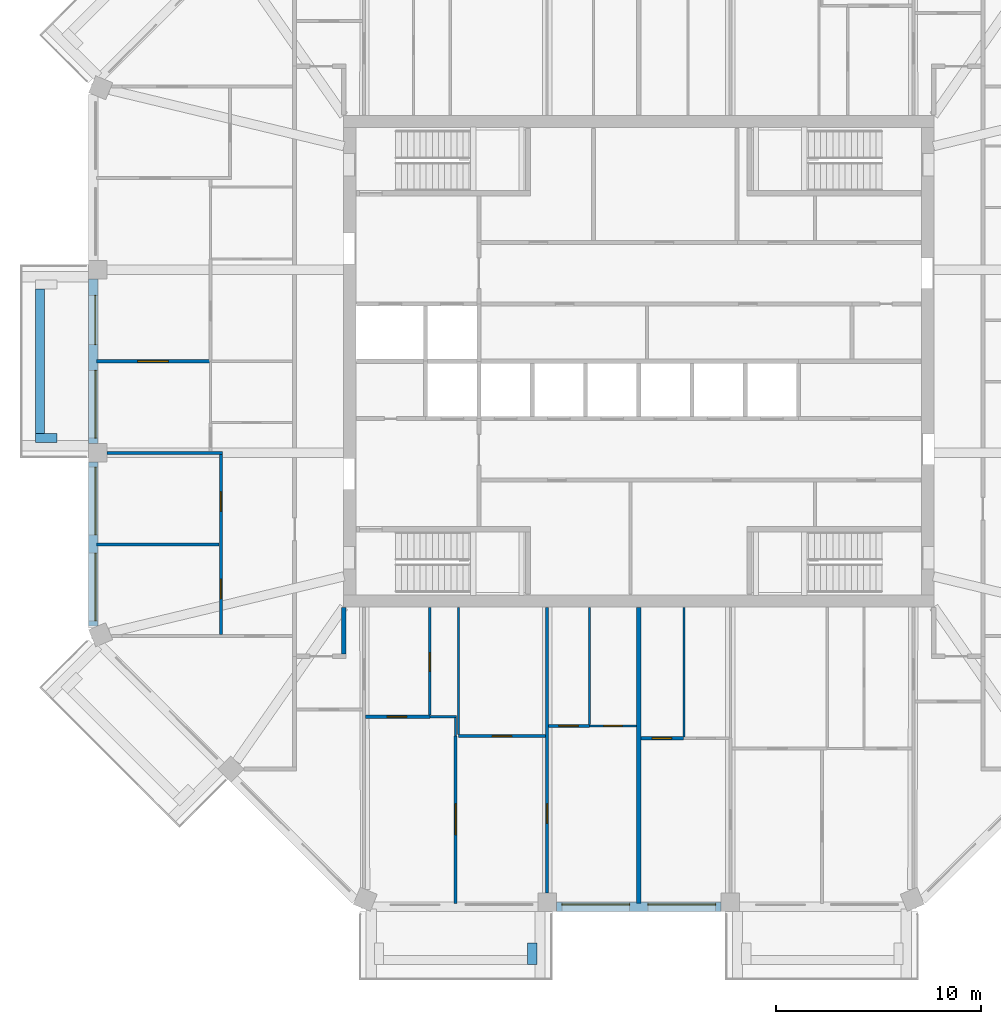
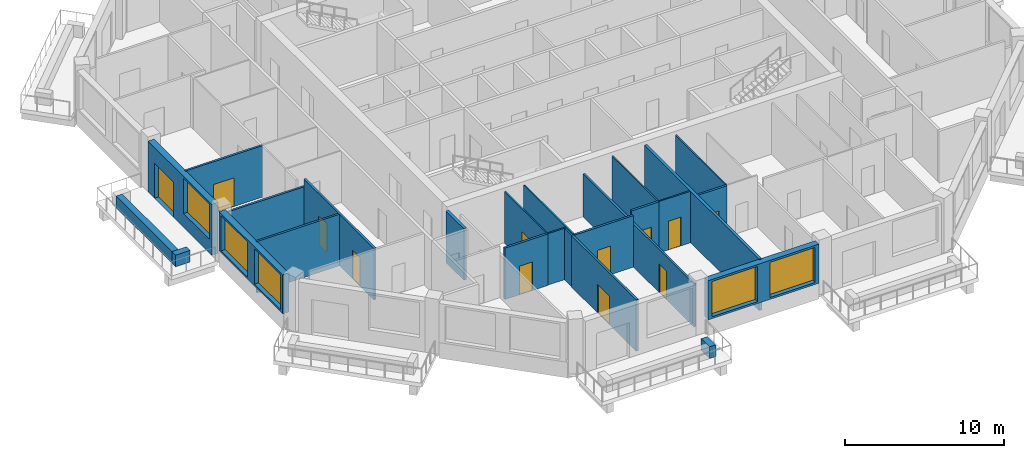
# One storey, part 3 of 13: 25 walls, 12 doors, 5 windows, 17 openings.
"""IFC4 building model written with IfcOpenShell, lengths in metres."""

from ifc_helpers import new_model, si_unit, direction, frame, frame_2d, origin, place, context, subcontext, project, spatial, rectangle, extrude, material, layer, layer_set, type_object, element, fill, save


model = new_model("IFC4")

# Units and contexts
model_context = context("Model", 3, precision=1e-05, world=origin(), true_north=direction((0.0, 1.0)))
body_context = subcontext(model_context, "Body", "Model", "MODEL_VIEW")
ifc_project = project(units=[si_unit("LENGTHUNIT", "METRE"), si_unit("AREAUNIT", "SQUARE_METRE"), si_unit("VOLUMEUNIT", "CUBIC_METRE"), si_unit("PLANEANGLEUNIT", "RADIAN"), si_unit("MASSUNIT", "GRAM", prefix="KILO")], contexts=[model_context])

# Site, building, storey
site_placement = place(None, origin())
site = spatial("IfcSite", under=ifc_project, at=site_placement, CompositionType="ELEMENT")
building_placement = place(site_placement, origin())
building = spatial("IfcBuilding", under=site, at=building_placement, Name="Msitu Wima Residences", CompositionType="ELEMENT")
storey_placement = place(building_placement, frame((0.0, 0.0, 285.300048828125)))
storey = spatial("IfcBuildingStorey", under=building, at=storey_placement, Name="L66", CompositionType="ELEMENT", Elevation=285.300048828125)

# Walls
ifc_material_1 = material(Name="Facing brick")
ifc_layer_1 = layer(ifc_material_1, 0.06494140625, Name="Facing brick")
ifc_material_2 = material(Name="Concrete C40/50", Category="concrete")
ifc_layer_2 = layer(ifc_material_2, 0.156005859375, Name="Concrete C40/50")
ifc_material_3 = material(Name="Waterproofing membrane")
ifc_layer_3 = layer(ifc_material_3, 0.00390625, Name="Waterproofing membrane")
ifc_material_4 = material(Name="Planting soil and planting")
ifc_layer_4 = layer(ifc_material_4, 0.22509765625, Name="Planting soil and planting")
ifc_layer_set_1 = layer_set([ifc_layer_1, ifc_layer_2, ifc_layer_3, ifc_layer_4], Name="Concrete C40/50")
wall_type_1 = type_object("IfcWallType", Name="Balcony planter PLANTER PL450", PredefinedType="USERDEFINED", material=ifc_layer_set_1)
wall_1_placement = place(storey_placement, frame((-29.22509765625, 3.5185546875, 0.0), z_axis=(0.0, 0.0, 1.0), x_axis=(0.0, -1.0, 0.0)))
element("IfcWall", 1, at=wall_1_placement, inside=storey, type_object=wall_type_1, Name="Balcony planter W1 L66", ObjectType="PLANTER", PredefinedType="USERDEFINED", context=body_context, shape_type="SweptSolid", body=[
    extrude(rectangle(XDim=7.037109375, YDim=0.449951171875, at=frame_2d((3.5185546875, 0.0))), origin(), (0.0, 0.0, 1.0), 0.89990234375),
])
for number, where, z_axis, x_axis, name in (
    (2, (-28.39990234375, -3.74365234375, 0.0), (0.0, 0.0, 1.0), (-1.0, 0.0, 0.0), "Balcony planter W1 L66"),
    (3, (-5.193603515625, -28.39990234375, 0.0), (0.0, 0.0, 1.0), (0.0, -1.0, 0.0), "Balcony planter S0 L66"),
):
    element("IfcWall", number, at=place(storey_placement, frame(where, z_axis=z_axis, x_axis=x_axis)), inside=storey, type_object=wall_type_1, Name=name, ObjectType="PLANTER", PredefinedType="USERDEFINED", context=body_context, shape_type="SweptSolid", body=[
        extrude(rectangle(XDim=1.050048828125, YDim=0.449951171875, at=frame_2d((0.52490234375, 0.0))), origin(), (0.0, 0.0, 1.0), 0.89990234375),
    ])

# Wall, openings, door, window
ifc_material_5 = material(Name="Brick (red buff mix)", Category="masonry")
ifc_layer_5 = layer(ifc_material_5, 0.449951171875)
ifc_layer_set_2 = layer_set([ifc_layer_5], Name="Brick (red buff mix)")
wall_type_2 = type_object("IfcWallType", Name="Brick infill wall BW450", PredefinedType="SOLIDWALL", material=ifc_layer_set_2)
wall_2_placement = place(storey_placement, frame((-26.625, 4.0185546875, 0.0), z_axis=(0.0, 0.0, 1.0), x_axis=(0.0, -1.0, 0.0)))
wall_2 = element("IfcWall", 4, at=wall_2_placement, inside=storey, type_object=wall_type_2, Name="Brick infill wall L66 W1", PredefinedType="SOLIDWALL", context=body_context, shape_type="SweptSolid", body=[
    extrude(rectangle(XDim=8.037109375, YDim=0.449951171875, at=frame_2d((4.0185546875, 0.0))), origin(), (0.0, 0.0, 1.0), 3.89990234375),
])
opening_1_placement = place(wall_2_placement, frame((0.809326171875, 0.0, 0.0)))
opening_1 = element("IfcOpeningElement", 5, at=opening_1_placement, cuts=wall_2, Name="Opening D65-67.010", PredefinedType="OPENING", context=body_context, shape_type="SweptSolid", body=[
    extrude(rectangle(XDim=2.39990234375, YDim=2.699951171875, at=frame_2d((1.199951171875, 1.35009765625))), frame((0.0, 0.23486328125, 0.0), z_axis=(0.0, -1.0, 0.0), x_axis=(1.0, 0.0, 0.0)), (0.0, 0.0, 1.0), 0.469970703125),
])
opening_2_placement = place(wall_2_placement, frame((4.46875, 0.0, 1.050048828125)))
opening_2 = element("IfcOpeningElement", 6, at=opening_2_placement, cuts=wall_2, Name="Opening W65-67.028", PredefinedType="OPENING", context=body_context, shape_type="SweptSolid", body=[
    extrude(rectangle(XDim=3.300048828125, YDim=2.699951171875, at=frame_2d((1.64990234375, 1.35009765625))), frame((0.0, 0.23486328125, 0.0), z_axis=(0.0, -1.0, 0.0), x_axis=(1.0, 0.0, 0.0)), (0.0, 0.0, 1.0), 0.469970703125),
])
ifc_material_6 = material(Name="Anodised aluminium, bronze finish, clear low-emissivity double glazing", Category="aluminium")
door_type_1 = type_object("IfcDoorType", Name="Balcony door D2400x2700", OperationType="SLIDING_TO_LEFT", PredefinedType="DOOR", material=ifc_material_6)
door_1_placement = place(opening_1_placement, origin())
door_1 = element("IfcDoor", 7, at=door_1_placement, inside=storey, type_object=door_type_1, Name="Balcony door L66 W1", OperationType="SINGLE_SWING_LEFT", OverallHeight=2.699951171875, OverallWidth=2.39990234375, PredefinedType="DOOR", context=body_context, shape_type="SweptSolid", body=[
    extrude(rectangle(XDim=2.39990234375, YDim=2.699951171875, at=frame_2d((1.199951171875, 1.35009765625))), frame((0.0, 0.1298828125, 0.0), z_axis=(0.0, -1.0, 0.0), x_axis=(1.0, 0.0, 0.0)), (0.0, 0.0, 1.0), 0.050048828125),
])
fill(opening_1, door_1)
window_type = type_object("IfcWindowType", Name="Window W3300x2700", PartitioningType="DOUBLE_PANEL_VERTICAL", PredefinedType="WINDOW", material=ifc_material_6)
window_1_placement = place(opening_2_placement, origin())
window_1 = element("IfcWindow", 8, at=window_1_placement, inside=storey, type_object=window_type, Name="Window L66 W1.2", OverallHeight=2.699951171875, OverallWidth=3.300048828125, PartitioningType="SINGLE_PANEL", PredefinedType="WINDOW", context=body_context, shape_type="SweptSolid", body=[
    extrude(rectangle(XDim=3.300048828125, YDim=2.699951171875, at=frame_2d((1.64990234375, 1.35009765625))), frame((0.0, 0.135009765625, 0.0), z_axis=(0.0, -1.0, 0.0), x_axis=(1.0, 0.0, 0.0)), (0.0, 0.0, 1.0), 0.06005859375),
])
fill(opening_2, window_1)

# Wall, openings, windows
wall_3_placement = place(storey_placement, frame((-26.625, -4.918701171875, 0.89990234375), z_axis=(0.0, 0.0, 1.0), x_axis=(0.0, -1.0, 0.0)))
wall_3 = element("IfcWall", 9, at=wall_3_placement, inside=storey, type_object=wall_type_2, Name="Brick infill wall L66 W2", PredefinedType="SOLIDWALL", context=body_context, shape_type="SweptSolid", body=[
    extrude(rectangle(XDim=8.0, YDim=0.449951171875, at=frame_2d((4.0, 0.0))), origin(), (0.0, 0.0, 1.0), 3.0),
])
opening_3_placement = place(wall_3_placement, frame((0.25, 0.0, 0.14990234375)))
opening_3 = element("IfcOpeningElement", 10, at=opening_3_placement, cuts=wall_3, Name="Opening W65-67.029", PredefinedType="OPENING", context=body_context, shape_type="SweptSolid", body=[
    extrude(rectangle(XDim=3.300048828125, YDim=2.699951171875, at=frame_2d((1.64990234375, 1.35009765625))), frame((0.0, 0.23486328125, 0.0), z_axis=(0.0, -1.0, 0.0), x_axis=(1.0, 0.0, 0.0)), (0.0, 0.0, 1.0), 0.469970703125),
])
opening_4_placement = place(wall_3_placement, frame((4.4501953125, 0.0, 0.14990234375)))
opening_4 = element("IfcOpeningElement", 11, at=opening_4_placement, cuts=wall_3, Name="Opening W65-67.030", PredefinedType="OPENING", context=body_context, shape_type="SweptSolid", body=[
    extrude(rectangle(XDim=3.300048828125, YDim=2.699951171875, at=frame_2d((1.64990234375, 1.35009765625))), frame((0.0, 0.23486328125, 0.0), z_axis=(0.0, -1.0, 0.0), x_axis=(1.0, 0.0, 0.0)), (0.0, 0.0, 1.0), 0.469970703125),
])
window_2_placement = place(opening_3_placement, origin())
window_2 = element("IfcWindow", 12, at=window_2_placement, inside=storey, type_object=window_type, Name="Window L66 W2.1", OverallHeight=2.699951171875, OverallWidth=3.300048828125, PartitioningType="SINGLE_PANEL", PredefinedType="WINDOW", context=body_context, shape_type="SweptSolid", body=[
    extrude(rectangle(XDim=3.300048828125, YDim=2.699951171875, at=frame_2d((1.64990234375, 1.35009765625))), frame((0.0, 0.135009765625, 0.0), z_axis=(0.0, -1.0, 0.0), x_axis=(1.0, 0.0, 0.0)), (0.0, 0.0, 1.0), 0.06005859375),
])
fill(opening_3, window_2)
window_3_placement = place(opening_4_placement, origin())
window_3 = element("IfcWindow", 13, at=window_3_placement, inside=storey, type_object=window_type, Name="Window L66 W2.2", OverallHeight=2.699951171875, OverallWidth=3.300048828125, PartitioningType="SINGLE_PANEL", PredefinedType="WINDOW", context=body_context, shape_type="SweptSolid", body=[
    extrude(rectangle(XDim=3.300048828125, YDim=2.699951171875, at=frame_2d((1.64990234375, 1.35009765625))), frame((0.0, 0.135009765625, 0.0), z_axis=(0.0, -1.0, 0.0), x_axis=(1.0, 0.0, 0.0)), (0.0, 0.0, 1.0), 0.06005859375),
])
fill(opening_4, window_3)

wall_4_placement = place(storey_placement, frame((-4.0185546875, -26.625, 0.89990234375), z_axis=(0.0, 0.0, 1.0), x_axis=(1.0, 0.0, 0.0)))
wall_4 = element("IfcWall", 14, at=wall_4_placement, inside=storey, type_object=wall_type_2, Name="Brick infill wall L66 S1", PredefinedType="SOLIDWALL", context=body_context, shape_type="SweptSolid", body=[
    extrude(rectangle(XDim=8.037109375, YDim=0.449951171875, at=frame_2d((4.0185546875, 0.0))), origin(), (0.0, 0.0, 1.0), 3.0),
])
opening_5_placement = place(wall_4_placement, frame((0.2685546875, 0.0, 0.14990234375)))
opening_5 = element("IfcOpeningElement", 15, at=opening_5_placement, cuts=wall_4, Name="Opening W65-67.017", PredefinedType="OPENING", context=body_context, shape_type="SweptSolid", body=[
    extrude(rectangle(XDim=3.300048828125, YDim=2.699951171875, at=frame_2d((1.64990234375, 1.35009765625))), frame((0.0, 0.23486328125, 0.0), z_axis=(0.0, -1.0, 0.0), x_axis=(1.0, 0.0, 0.0)), (0.0, 0.0, 1.0), 0.469970703125),
])
opening_6_placement = place(wall_4_placement, frame((4.46875, 0.0, 0.14990234375)))
opening_6 = element("IfcOpeningElement", 16, at=opening_6_placement, cuts=wall_4, Name="Opening W65-67.018", PredefinedType="OPENING", context=body_context, shape_type="SweptSolid", body=[
    extrude(rectangle(XDim=3.300048828125, YDim=2.699951171875, at=frame_2d((1.64990234375, 1.35009765625))), frame((0.0, 0.23486328125, 0.0), z_axis=(0.0, -1.0, 0.0), x_axis=(1.0, 0.0, 0.0)), (0.0, 0.0, 1.0), 0.469970703125),
])
window_4_placement = place(opening_5_placement, origin())
window_4 = element("IfcWindow", 17, at=window_4_placement, inside=storey, type_object=window_type, Name="Window L66 S1.1", OverallHeight=2.699951171875, OverallWidth=3.300048828125, PartitioningType="SINGLE_PANEL", PredefinedType="WINDOW", context=body_context, shape_type="SweptSolid", body=[
    extrude(rectangle(XDim=3.300048828125, YDim=2.699951171875, at=frame_2d((1.64990234375, 1.35009765625))), frame((0.0, 0.135009765625, 0.0), z_axis=(0.0, -1.0, 0.0), x_axis=(1.0, 0.0, 0.0)), (0.0, 0.0, 1.0), 0.06005859375),
])
fill(opening_5, window_4)
window_5_placement = place(opening_6_placement, origin())
window_5 = element("IfcWindow", 18, at=window_5_placement, inside=storey, type_object=window_type, Name="Window L66 S1.2", OverallHeight=2.699951171875, OverallWidth=3.300048828125, PartitioningType="SINGLE_PANEL", PredefinedType="WINDOW", context=body_context, shape_type="SweptSolid", body=[
    extrude(rectangle(XDim=3.300048828125, YDim=2.699951171875, at=frame_2d((1.64990234375, 1.35009765625))), frame((0.0, 0.135009765625, 0.0), z_axis=(0.0, -1.0, 0.0), x_axis=(1.0, 0.0, 0.0)), (0.0, 0.0, 1.0), 0.06005859375),
])
fill(opening_6, window_5)

# Walls
ifc_material_7 = material(Name="Plaster")
ifc_layer_6 = layer(ifc_material_7, 0.011962890625, Name="Plaster")
ifc_material_8 = material(Name="Concrete blockwork", Category="masonry")
ifc_layer_7 = layer(ifc_material_8, 0.176025390625, Name="Concrete blockwork")
ifc_layer_8 = layer(ifc_material_7, 0.011962890625, Name="Plaster")
ifc_layer_set_3 = layer_set([ifc_layer_6, ifc_layer_7, ifc_layer_8], Name="Concrete blockwork")
wall_type_3 = type_object("IfcWallType", Name="Corridor wall FW200", PredefinedType="PARTITIONING", material=ifc_layer_set_3)
wall_5_placement = place(storey_placement, frame((-14.39990234375, -14.300048828125, 0.0), z_axis=(0.0, 0.0, 1.0), x_axis=(0.0, 1.0, 0.0)))
element("IfcWall", 19, at=wall_5_placement, inside=storey, type_object=wall_type_3, Name="Corridor wall", PredefinedType="PARTITIONING", context=body_context, shape_type="SweptSolid", body=[
    extrude(rectangle(XDim=2.27001953125, YDim=0.199951171875, at=frame_2d((1.135009765625, 0.0))), origin(), (0.0, 0.0, 1.0), 3.949951171875),
])
ifc_layer_9 = layer(ifc_material_7, 0.011962890625, Name="Plaster")
ifc_layer_10 = layer(ifc_material_8, 0.1259765625, Name="Concrete blockwork")
ifc_layer_11 = layer(ifc_material_7, 0.011962890625, Name="Plaster")
ifc_layer_set_4 = layer_set([ifc_layer_9, ifc_layer_10, ifc_layer_11], Name="Concrete blockwork")
wall_type_4 = type_object("IfcWallType", Name="Partition PW150", PredefinedType="PARTITIONING", material=ifc_layer_set_4)
wall_6_placement = place(storey_placement, frame((-26.455078125, -8.937255859375, 0.0), z_axis=(0.0, 0.0, 1.0), x_axis=(1.0, 0.0, 0.0)))
element("IfcWall", 20, at=wall_6_placement, inside=storey, type_object=wall_type_4, Name="Partition", PredefinedType="PARTITIONING", context=body_context, shape_type="SweptSolid", body=[
    extrude(rectangle(XDim=5.97998046875, YDim=0.14990234375, at=frame_2d((2.989990234375, 0.0))), origin(), (0.0, 0.0, 1.0), 3.949951171875),
])
wall_7_placement = place(storey_placement, frame((-25.949951171875, -4.46875, 0.0), z_axis=(0.0, 0.0, 1.0), x_axis=(1.0, 0.0, 0.0)))
element("IfcWall", 21, at=wall_7_placement, inside=storey, type_object=wall_type_4, Name="Partition", PredefinedType="PARTITIONING", context=body_context, shape_type="SweptSolid", body=[
    extrude(rectangle(XDim=5.625, YDim=0.14990234375, at=frame_2d((2.8125, 0.0))), origin(), (0.0, 0.0, 1.0), 3.349853515625),
])

# Wall, opening, door
wall_8_placement = place(storey_placement, frame((-26.455078125, 0.0, 0.0), z_axis=(0.0, 0.0, 1.0), x_axis=(1.0, 0.0, 0.0)))
wall_8 = element("IfcWall", 22, at=wall_8_placement, inside=storey, type_object=wall_type_4, Name="Partition", PredefinedType="PARTITIONING", context=body_context, shape_type="SweptSolid", body=[
    extrude(rectangle(XDim=5.5751953125, YDim=0.14990234375, at=frame_2d((2.78759765625, 0.0))), origin(), (0.0, 0.0, 1.0), 3.949951171875),
])
opening_7_placement = place(wall_8_placement, frame((2.0, 0.0, 0.0)))
opening_7 = element("IfcOpeningElement", 23, at=opening_7_placement, cuts=wall_8, Name="Opening D65-67.050", PredefinedType="OPENING", context=body_context, shape_type="SweptSolid", body=[
    extrude(rectangle(XDim=1.5, YDim=2.199951171875, at=frame_2d((0.75, 1.10009765625))), frame((0.0, 0.0849609375, 0.0), z_axis=(0.0, -1.0, 0.0), x_axis=(1.0, 0.0, 0.0)), (0.0, 0.0, 1.0), 0.169921875),
])
ifc_material_9 = material(Name="Timber double door", Category="wood")
door_type_2 = type_object("IfcDoorType", Name="Double door D04 1500x2200", OperationType="DOUBLE_DOOR_SINGLE_SWING", PredefinedType="DOOR", material=ifc_material_9)
door_2_placement = place(opening_7_placement, origin())
door_2 = element("IfcDoor", 24, at=door_2_placement, inside=storey, type_object=door_type_2, Name="Double door", OperationType="DOUBLE_DOOR_SINGLE_SWING", OverallHeight=2.199951171875, OverallWidth=1.5, PredefinedType="DOOR", context=body_context, shape_type="SweptSolid", body=[
    extrude(rectangle(XDim=1.5, YDim=2.199951171875, at=frame_2d((0.75, 1.10009765625))), frame((0.0, 0.02490234375, 0.0), z_axis=(0.0, -1.0, 0.0), x_axis=(1.0, 0.0, 0.0)), (0.0, 0.0, 1.0), 0.050048828125),
])
fill(opening_7, door_2)

# Wall, openings, doors
wall_9_placement = place(storey_placement, frame((-20.39990234375, -13.330810546875, 0.0), z_axis=(0.0, 0.0, 1.0), x_axis=(0.0, 1.0, 0.0)))
wall_9 = element("IfcWall", 25, at=wall_9_placement, inside=storey, type_object=wall_type_4, Name="Partition", PredefinedType="PARTITIONING", context=body_context, shape_type="SweptSolid", body=[
    extrude(rectangle(XDim=8.787109375, YDim=0.14990234375, at=frame_2d((4.3935546875, 0.0))), origin(), (0.0, 0.0, 1.0), 3.949951171875),
])
opening_8_placement = place(wall_9_placement, frame((1.75, 0.0, 0.0)))
opening_8 = element("IfcOpeningElement", 26, at=opening_8_placement, cuts=wall_9, Name="Opening D65-67.047", PredefinedType="OPENING", context=body_context, shape_type="SweptSolid", body=[
    extrude(rectangle(XDim=0.949951171875, YDim=2.199951171875, at=frame_2d((0.47509765625, 1.10009765625))), frame((0.0, 0.0849609375, 0.0), z_axis=(0.0, -1.0, 0.0), x_axis=(1.0, 0.0, 0.0)), (0.0, 0.0, 1.0), 0.169921875),
])
opening_9_placement = place(wall_9_placement, frame((6.0, 0.0, 0.0)))
opening_9 = element("IfcOpeningElement", 27, at=opening_9_placement, cuts=wall_9, Name="Opening D65-67.048", PredefinedType="OPENING", context=body_context, shape_type="SweptSolid", body=[
    extrude(rectangle(XDim=0.949951171875, YDim=2.199951171875, at=frame_2d((0.47509765625, 1.10009765625))), frame((0.0, 0.0849609375, 0.0), z_axis=(0.0, -1.0, 0.0), x_axis=(1.0, 0.0, 0.0)), (0.0, 0.0, 1.0), 0.169921875),
])
ifc_material_10 = material(Name="Timber flush door", Category="wood")
door_type_3 = type_object("IfcDoorType", Name="Room door D12 950x2200", OperationType="SINGLE_SWING_LEFT", PredefinedType="DOOR", material=ifc_material_10)
door_3_placement = place(opening_8_placement, origin())
door_3 = element("IfcDoor", 28, at=door_3_placement, inside=storey, type_object=door_type_3, Name="Room door", OperationType="SINGLE_SWING_RIGHT", OverallHeight=2.199951171875, OverallWidth=0.949951171875, PredefinedType="DOOR", context=body_context, shape_type="SweptSolid", body=[
    extrude(rectangle(XDim=0.949951171875, YDim=2.199951171875, at=frame_2d((0.47509765625, 1.10009765625))), frame((0.0, 0.02490234375, 0.0), z_axis=(0.0, -1.0, 0.0), x_axis=(1.0, 0.0, 0.0)), (0.0, 0.0, 1.0), 0.050048828125),
])
fill(opening_8, door_3)
door_4_placement = place(opening_9_placement, origin())
door_4 = element("IfcDoor", 29, at=door_4_placement, inside=storey, type_object=door_type_3, Name="Room door", OperationType="SINGLE_SWING_LEFT", OverallHeight=2.199951171875, OverallWidth=0.949951171875, PredefinedType="DOOR", context=body_context, shape_type="SweptSolid", body=[
    extrude(rectangle(XDim=0.949951171875, YDim=2.199951171875, at=frame_2d((0.47509765625, 1.10009765625))), frame((0.0, 0.02490234375, 0.0), z_axis=(0.0, -1.0, 0.0), x_axis=(1.0, 0.0, 0.0)), (0.0, 0.0, 1.0), 0.050048828125),
])
fill(opening_9, door_4)

# Wall, opening, door
wall_10_placement = place(storey_placement, frame((-13.330810546875, -17.35009765625, 0.0), z_axis=(0.0, 0.0, 1.0), x_axis=(1.0, 0.0, 0.0)))
wall_10 = element("IfcWall", 30, at=wall_10_placement, inside=storey, type_object=wall_type_4, Name="Partition", PredefinedType="PARTITIONING", context=body_context, shape_type="SweptSolid", body=[
    extrude(rectangle(XDim=3.130859375, YDim=0.14990234375, at=frame_2d((1.5654296875, 0.0))), origin(), (0.0, 0.0, 1.0), 3.949951171875),
])
opening_10_placement = place(wall_10_placement, frame((1.050048828125, 0.0, 0.0)))
opening_10 = element("IfcOpeningElement", 31, at=opening_10_placement, cuts=wall_10, Name="Opening D65-67.056", PredefinedType="OPENING", context=body_context, shape_type="SweptSolid", body=[
    extrude(rectangle(XDim=0.949951171875, YDim=2.199951171875, at=frame_2d((0.47509765625, 1.10009765625))), frame((0.0, 0.0849609375, 0.0), z_axis=(0.0, -1.0, 0.0), x_axis=(1.0, 0.0, 0.0)), (0.0, 0.0, 1.0), 0.169921875),
])
door_5_placement = place(opening_10_placement, origin())
door_5 = element("IfcDoor", 32, at=door_5_placement, inside=storey, type_object=door_type_3, Name="Room door", OperationType="SINGLE_SWING_RIGHT", OverallHeight=2.199951171875, OverallWidth=0.949951171875, PredefinedType="DOOR", context=body_context, shape_type="SweptSolid", body=[
    extrude(rectangle(XDim=0.949951171875, YDim=2.199951171875, at=frame_2d((0.47509765625, 1.10009765625))), frame((0.0, 0.02490234375, 0.0), z_axis=(0.0, -1.0, 0.0), x_axis=(1.0, 0.0, 0.0)), (0.0, 0.0, 1.0), 0.050048828125),
])
fill(opening_10, door_5)

wall_11_placement = place(storey_placement, frame((-8.937255859375, -26.455078125, 0.0), z_axis=(0.0, 0.0, 1.0), x_axis=(0.0, 1.0, 0.0)))
wall_11 = element("IfcWall", 33, at=wall_11_placement, inside=storey, type_object=wall_type_4, Name="Partition", PredefinedType="PARTITIONING", context=body_context, shape_type="SweptSolid", body=[
    extrude(rectangle(XDim=8.155029296875, YDim=0.14990234375, at=frame_2d((4.07763671875, 0.0))), origin(), (0.0, 0.0, 1.0), 3.949951171875),
])
opening_11_placement = place(wall_11_placement, frame((3.35009765625, 0.0, 0.0)))
opening_11 = element("IfcOpeningElement", 34, at=opening_11_placement, cuts=wall_11, Name="Opening D65-67.059", PredefinedType="OPENING", context=body_context, shape_type="SweptSolid", body=[
    extrude(rectangle(XDim=1.5, YDim=2.199951171875, at=frame_2d((0.75, 1.10009765625))), frame((0.0, 0.0849609375, 0.0), z_axis=(0.0, -1.0, 0.0), x_axis=(1.0, 0.0, 0.0)), (0.0, 0.0, 1.0), 0.169921875),
])
door_6_placement = place(opening_11_placement, origin())
door_6 = element("IfcDoor", 35, at=door_6_placement, inside=storey, type_object=door_type_2, Name="Double door", OperationType="DOUBLE_DOOR_SINGLE_SWING", OverallHeight=2.199951171875, OverallWidth=1.5, PredefinedType="DOOR", context=body_context, shape_type="SweptSolid", body=[
    extrude(rectangle(XDim=1.5, YDim=2.199951171875, at=frame_2d((0.75, 1.10009765625))), frame((0.0, 0.02490234375, 0.0), z_axis=(0.0, -1.0, 0.0), x_axis=(1.0, 0.0, 0.0)), (0.0, 0.0, 1.0), 0.050048828125),
])
fill(opening_11, door_6)

wall_12_placement = place(storey_placement, frame((-8.800048828125, -18.300048828125, 0.0), z_axis=(0.0, 0.0, 1.0), x_axis=(1.0, 0.0, 0.0)))
wall_12 = element("IfcWall", 36, at=wall_12_placement, inside=storey, type_object=wall_type_4, Name="Partition", PredefinedType="PARTITIONING", context=body_context, shape_type="SweptSolid", body=[
    extrude(rectangle(XDim=4.25634765625, YDim=0.14990234375, at=frame_2d((2.128173828125, 0.0))), origin(), (0.0, 0.0, 1.0), 3.949951171875),
])
opening_12_placement = place(wall_12_placement, frame((1.64990234375, 0.0, 0.0)))
opening_12 = element("IfcOpeningElement", 37, at=opening_12_placement, cuts=wall_12, Name="Opening D65-67.060", PredefinedType="OPENING", context=body_context, shape_type="SweptSolid", body=[
    extrude(rectangle(XDim=0.949951171875, YDim=2.199951171875, at=frame_2d((0.47509765625, 1.10009765625))), frame((0.0, 0.0849609375, 0.0), z_axis=(0.0, -1.0, 0.0), x_axis=(1.0, 0.0, 0.0)), (0.0, 0.0, 1.0), 0.169921875),
])
door_7_placement = place(opening_12_placement, origin())
door_7 = element("IfcDoor", 38, at=door_7_placement, inside=storey, type_object=door_type_3, Name="Room door", OperationType="SINGLE_SWING_LEFT", OverallHeight=2.199951171875, OverallWidth=0.949951171875, PredefinedType="DOOR", context=body_context, shape_type="SweptSolid", body=[
    extrude(rectangle(XDim=0.949951171875, YDim=2.199951171875, at=frame_2d((0.47509765625, 1.10009765625))), frame((0.0, 0.02490234375, 0.0), z_axis=(0.0, -1.0, 0.0), x_axis=(1.0, 0.0, 0.0)), (0.0, 0.0, 1.0), 0.050048828125),
])
fill(opening_12, door_7)

wall_13_placement = place(storey_placement, frame((-4.46875, -25.949951171875, 0.0), z_axis=(0.0, 0.0, 1.0), x_axis=(0.0, 1.0, 0.0)))
wall_13 = element("IfcWall", 39, at=wall_13_placement, inside=storey, type_object=wall_type_4, Name="Partition", PredefinedType="PARTITIONING", context=body_context, shape_type="SweptSolid", body=[
    extrude(rectangle(XDim=13.919921875, YDim=0.14990234375, at=frame_2d((6.9599609375, 0.0))), origin(), (0.0, 0.0, 1.0), 3.300048828125),
])
opening_13_placement = place(wall_13_placement, frame((3.39990234375, 0.0, 0.0)))
opening_13 = element("IfcOpeningElement", 40, at=opening_13_placement, cuts=wall_13, Name="Opening D65-67.061", PredefinedType="OPENING", context=body_context, shape_type="SweptSolid", body=[
    extrude(rectangle(XDim=0.949951171875, YDim=2.199951171875, at=frame_2d((0.47509765625, 1.10009765625))), frame((0.0, 0.0849609375, 0.0), z_axis=(0.0, -1.0, 0.0), x_axis=(1.0, 0.0, 0.0)), (0.0, 0.0, 1.0), 0.169921875),
])
door_8_placement = place(opening_13_placement, origin())
door_8 = element("IfcDoor", 41, at=door_8_placement, inside=storey, type_object=door_type_3, Name="Room door", OperationType="SINGLE_SWING_RIGHT", OverallHeight=2.199951171875, OverallWidth=0.949951171875, PredefinedType="DOOR", context=body_context, shape_type="SweptSolid", body=[
    extrude(rectangle(XDim=0.949951171875, YDim=2.199951171875, at=frame_2d((0.47509765625, 1.10009765625))), frame((0.0, 0.02490234375, 0.0), z_axis=(0.0, -1.0, 0.0), x_axis=(1.0, 0.0, 0.0)), (0.0, 0.0, 1.0), 0.050048828125),
])
fill(opening_13, door_8)

wall_14_placement = place(storey_placement, frame((-4.3935546875, -17.800048828125, 0.0), z_axis=(0.0, 0.0, 1.0), x_axis=(1.0, 0.0, 0.0)))
wall_14 = element("IfcWall", 42, at=wall_14_placement, inside=storey, type_object=wall_type_4, Name="Partition", PredefinedType="PARTITIONING", context=body_context, shape_type="SweptSolid", body=[
    extrude(rectangle(XDim=1.99365234375, YDim=0.14990234375, at=frame_2d((0.996826171875, 0.0))), origin(), (0.0, 0.0, 1.0), 3.949951171875),
])
opening_14_placement = place(wall_14_placement, frame((0.5, 0.0, 0.0)))
opening_14 = element("IfcOpeningElement", 43, at=opening_14_placement, cuts=wall_14, Name="Opening D65-67.063", PredefinedType="OPENING", context=body_context, shape_type="SweptSolid", body=[
    extrude(rectangle(XDim=0.949951171875, YDim=2.199951171875, at=frame_2d((0.47509765625, 1.10009765625))), frame((0.0, 0.0849609375, 0.0), z_axis=(0.0, -1.0, 0.0), x_axis=(1.0, 0.0, 0.0)), (0.0, 0.0, 1.0), 0.169921875),
])
door_9_placement = place(opening_14_placement, origin())
door_9 = element("IfcDoor", 44, at=door_9_placement, inside=storey, type_object=door_type_3, Name="Room door", OperationType="SINGLE_SWING_RIGHT", OverallHeight=2.199951171875, OverallWidth=0.949951171875, PredefinedType="DOOR", context=body_context, shape_type="SweptSolid", body=[
    extrude(rectangle(XDim=0.949951171875, YDim=2.199951171875, at=frame_2d((0.47509765625, 1.10009765625))), frame((0.0, 0.02490234375, 0.0), z_axis=(0.0, -1.0, 0.0), x_axis=(1.0, 0.0, 0.0)), (0.0, 0.0, 1.0), 0.050048828125),
])
fill(opening_14, door_9)

wall_15_placement = place(storey_placement, frame((0.10009765625, -18.39990234375, 0.0), z_axis=(0.0, 0.0, 1.0), x_axis=(1.0, 0.0, 0.0)))
wall_15 = element("IfcWall", 45, at=wall_15_placement, inside=storey, type_object=wall_type_4, Name="Partition", PredefinedType="PARTITIONING", context=body_context, shape_type="SweptSolid", body=[
    extrude(rectangle(XDim=2.079833984375, YDim=0.14990234375, at=frame_2d((1.0400390625, 0.0))), origin(), (0.0, 0.0, 1.0), 3.949951171875),
])
opening_15_placement = place(wall_15_placement, frame((0.550048828125, 0.0, 0.0)))
opening_15 = element("IfcOpeningElement", 46, at=opening_15_placement, cuts=wall_15, Name="Opening D65-67.072", PredefinedType="OPENING", context=body_context, shape_type="SweptSolid", body=[
    extrude(rectangle(XDim=0.949951171875, YDim=2.199951171875, at=frame_2d((0.47509765625, 1.10009765625))), frame((0.0, 0.0849609375, 0.0), z_axis=(0.0, -1.0, 0.0), x_axis=(1.0, 0.0, 0.0)), (0.0, 0.0, 1.0), 0.169921875),
])
door_10_placement = place(opening_15_placement, origin())
door_10 = element("IfcDoor", 47, at=door_10_placement, inside=storey, type_object=door_type_3, Name="Room door", OperationType="SINGLE_SWING_RIGHT", OverallHeight=2.199951171875, OverallWidth=0.949951171875, PredefinedType="DOOR", context=body_context, shape_type="SweptSolid", body=[
    extrude(rectangle(XDim=0.949951171875, YDim=2.199951171875, at=frame_2d((0.47509765625, 1.10009765625))), frame((0.0, 0.02490234375, 0.0), z_axis=(0.0, -1.0, 0.0), x_axis=(1.0, 0.0, 0.0)), (0.0, 0.0, 1.0), 0.050048828125),
])
fill(opening_15, door_10)

# Wall
ifc_layer_12 = layer(ifc_material_7, 0.011962890625, Name="Plaster")
ifc_material_11 = material(Name="Dense concrete blockwork", Category="masonry")
ifc_layer_13 = layer(ifc_material_11, 0.176025390625, Name="Dense concrete blockwork")
ifc_layer_14 = layer(ifc_material_7, 0.011962890625, Name="Plaster")
ifc_layer_set_5 = layer_set([ifc_layer_12, ifc_layer_13, ifc_layer_14], Name="Dense concrete blockwork")
wall_type_5 = type_object("IfcWallType", Name="Party wall PW200", PredefinedType="PARTITIONING", material=ifc_layer_set_5)
wall_16_placement = place(storey_placement, frame((0.0, -26.455078125, 0.0), z_axis=(0.0, 0.0, 1.0), x_axis=(0.0, 1.0, 0.0)))
element("IfcWall", 48, at=wall_16_placement, inside=storey, type_object=wall_type_5, Name="Party wall", PredefinedType="PARTITIONING", context=body_context, shape_type="SweptSolid", body=[
    extrude(rectangle(XDim=14.425048828125, YDim=0.199951171875, at=frame_2d((7.21240234375, 0.0))), origin(), (0.0, 0.0, 1.0), 3.949951171875),
])

# Wall, opening, door
ifc_material_12 = material(Name="Ceramic tiles")
ifc_layer_15 = layer(ifc_material_12, 0.008056640625, Name="Ceramic tiles")
ifc_material_13 = material(Name="Moisture-resistant board")
ifc_layer_16 = layer(ifc_material_13, 0.012451171875, Name="Moisture-resistant board")
ifc_material_14 = material(Name="Light-gauge stud framing with mineral wool")
ifc_layer_17 = layer(ifc_material_14, 0.06689453125, Name="Light-gauge stud framing with mineral wool")
ifc_layer_18 = layer(ifc_material_13, 0.012451171875, Name="Moisture-resistant board")
ifc_layer_set_6 = layer_set([ifc_layer_15, ifc_layer_16, ifc_layer_17, ifc_layer_18], Name="Light-gauge stud framing with mineral wool")
wall_type_6 = type_object("IfcWallType", Name="Wet wall PW100", PredefinedType="PARTITIONING", material=ifc_layer_set_6)
wall_17_placement = place(storey_placement, frame((-10.199951171875, -17.27490234375, 0.0), z_axis=(0.0, 0.0, 1.0), x_axis=(0.0, 1.0, 0.0)))
wall_17 = element("IfcWall", 49, at=wall_17_placement, inside=storey, type_object=wall_type_6, Name="Wet wall", PredefinedType="PARTITIONING", context=body_context, shape_type="SweptSolid", body=[
    extrude(rectangle(XDim=5.244873046875, YDim=0.10009765625, at=frame_2d((2.62255859375, 0.0))), origin(), (0.0, 0.0, 1.0), 3.949951171875),
])
opening_16_placement = place(wall_17_placement, frame((2.14990234375, 0.0, 0.0)))
opening_16 = element("IfcOpeningElement", 50, at=opening_16_placement, cuts=wall_17, Name="Opening D65-67.058", PredefinedType="OPENING", context=body_context, shape_type="SweptSolid", body=[
    extrude(rectangle(XDim=0.89990234375, YDim=2.199951171875, at=frame_2d((0.449951171875, 1.10009765625))), frame((0.0, 0.06005859375, 0.0), z_axis=(0.0, -1.0, 0.0), x_axis=(1.0, 0.0, 0.0)), (0.0, 0.0, 1.0), 0.1201171875),
])
ifc_material_15 = material(Name="Timber flush door, moisture resistant", Category="wood")
door_type_4 = type_object("IfcDoorType", Name="Bathroom door D03 900x2200", OperationType="SINGLE_SWING_LEFT", PredefinedType="DOOR", material=ifc_material_15)
door_11_placement = place(opening_16_placement, origin())
door_11 = element("IfcDoor", 51, at=door_11_placement, inside=storey, type_object=door_type_4, Name="Bathroom door", OperationType="SINGLE_SWING_RIGHT", OverallHeight=2.199951171875, OverallWidth=0.89990234375, PredefinedType="DOOR", context=body_context, shape_type="SweptSolid", body=[
    extrude(rectangle(XDim=0.89990234375, YDim=2.199951171875, at=frame_2d((0.449951171875, 1.10009765625))), frame((0.0, 0.02490234375, 0.0), z_axis=(0.0, -1.0, 0.0), x_axis=(1.0, 0.0, 0.0)), (0.0, 0.0, 1.0), 0.050048828125),
])
fill(opening_16, door_11)

# Walls
wall_18_placement = place(storey_placement, frame((-10.199951171875, -17.35009765625, 0.0), z_axis=(0.0, 0.0, 1.0), x_axis=(1.0, 0.0, 0.0)))
element("IfcWall", 52, at=wall_18_placement, inside=storey, type_object=wall_type_6, Name="Wet wall", PredefinedType="PARTITIONING", context=body_context, shape_type="SweptSolid", body=[
    extrude(rectangle(XDim=1.312744140625, YDim=0.10009765625, at=frame_2d((0.65625, 0.0))), origin(), (0.0, 0.0, 1.0), 3.949951171875),
])
wall_19_placement = place(storey_placement, frame((-8.937255859375, -18.300048828125, 0.0), z_axis=(0.0, 0.0, 1.0), x_axis=(0.0, 1.0, 0.0)))
element("IfcWall", 53, at=wall_19_placement, inside=storey, type_object=wall_type_6, Name="Wet wall", PredefinedType="PARTITIONING", context=body_context, shape_type="SweptSolid", body=[
    extrude(rectangle(XDim=0.900146484375, YDim=0.10009765625, at=frame_2d((0.4501953125, 0.0))), origin(), (0.0, 0.0, 1.0), 3.949951171875),
])
wall_20_placement = place(storey_placement, frame((-8.800048828125, -18.22509765625, 0.0), z_axis=(0.0, 0.0, 1.0), x_axis=(0.0, 1.0, 0.0)))
element("IfcWall", 54, at=wall_20_placement, inside=storey, type_object=wall_type_6, Name="Wet wall", PredefinedType="PARTITIONING", context=body_context, shape_type="SweptSolid", body=[
    extrude(rectangle(XDim=6.195068359375, YDim=0.10009765625, at=frame_2d((3.09765625, 0.0))), origin(), (0.0, 0.0, 1.0), 3.949951171875),
])
wall_21_placement = place(storey_placement, frame((-2.39990234375, -17.72509765625, 0.0), z_axis=(0.0, 0.0, 1.0), x_axis=(0.0, 1.0, 0.0)))
element("IfcWall", 55, at=wall_21_placement, inside=storey, type_object=wall_type_6, Name="Wet wall", PredefinedType="PARTITIONING", context=body_context, shape_type="SweptSolid", body=[
    extrude(rectangle(XDim=5.695068359375, YDim=0.10009765625, at=frame_2d((2.84765625, 0.0))), origin(), (0.0, 0.0, 1.0), 3.949951171875),
])

# Wall, opening, door
wall_22_placement = place(storey_placement, frame((-2.39990234375, -17.800048828125, 0.0), z_axis=(0.0, 0.0, 1.0), x_axis=(1.0, 0.0, 0.0)))
wall_22 = element("IfcWall", 56, at=wall_22_placement, inside=storey, type_object=wall_type_6, Name="Wet wall", PredefinedType="PARTITIONING", context=body_context, shape_type="SweptSolid", body=[
    extrude(rectangle(XDim=2.2998046875, YDim=0.10009765625, at=frame_2d((1.14990234375, 0.0))), origin(), (0.0, 0.0, 1.0), 3.949951171875),
])
opening_17_placement = place(wall_22_placement, frame((0.699951171875, 0.0, 0.0)))
opening_17 = element("IfcOpeningElement", 57, at=opening_17_placement, cuts=wall_22, Name="Opening D65-67.062", PredefinedType="OPENING", context=body_context, shape_type="SweptSolid", body=[
    extrude(rectangle(XDim=0.89990234375, YDim=2.199951171875, at=frame_2d((0.449951171875, 1.10009765625))), frame((0.0, 0.06005859375, 0.0), z_axis=(0.0, -1.0, 0.0), x_axis=(1.0, 0.0, 0.0)), (0.0, 0.0, 1.0), 0.1201171875),
])
door_12_placement = place(opening_17_placement, origin())
door_12 = element("IfcDoor", 58, at=door_12_placement, inside=storey, type_object=door_type_4, Name="Bathroom door", OperationType="SINGLE_SWING_LEFT", OverallHeight=2.199951171875, OverallWidth=0.89990234375, PredefinedType="DOOR", context=body_context, shape_type="SweptSolid", body=[
    extrude(rectangle(XDim=0.89990234375, YDim=2.199951171875, at=frame_2d((0.449951171875, 1.10009765625))), frame((0.0, 0.02490234375, 0.0), z_axis=(0.0, -1.0, 0.0), x_axis=(1.0, 0.0, 0.0)), (0.0, 0.0, 1.0), 0.050048828125),
])
fill(opening_17, door_12)

# Wall
wall_23_placement = place(storey_placement, frame((2.199951171875, -18.35009765625, 0.0), z_axis=(0.0, 0.0, 1.0), x_axis=(0.0, 1.0, 0.0)))
element("IfcWall", 59, at=wall_23_placement, inside=storey, type_object=wall_type_6, Name="Wet wall", PredefinedType="PARTITIONING", context=body_context, shape_type="SweptSolid", body=[
    extrude(rectangle(XDim=6.320068359375, YDim=0.10009765625, at=frame_2d((3.16015625, 0.0))), origin(), (0.0, 0.0, 1.0), 3.949951171875),
])

save(model, "model.ifc")
